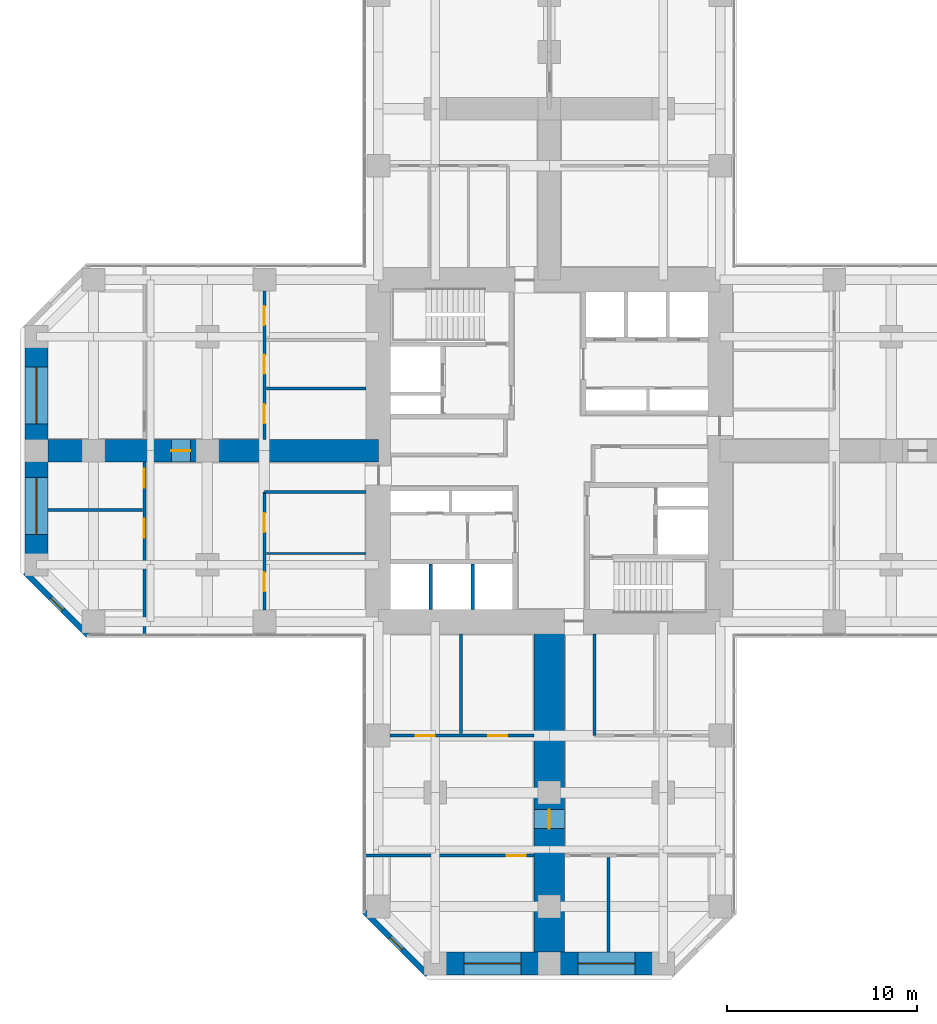
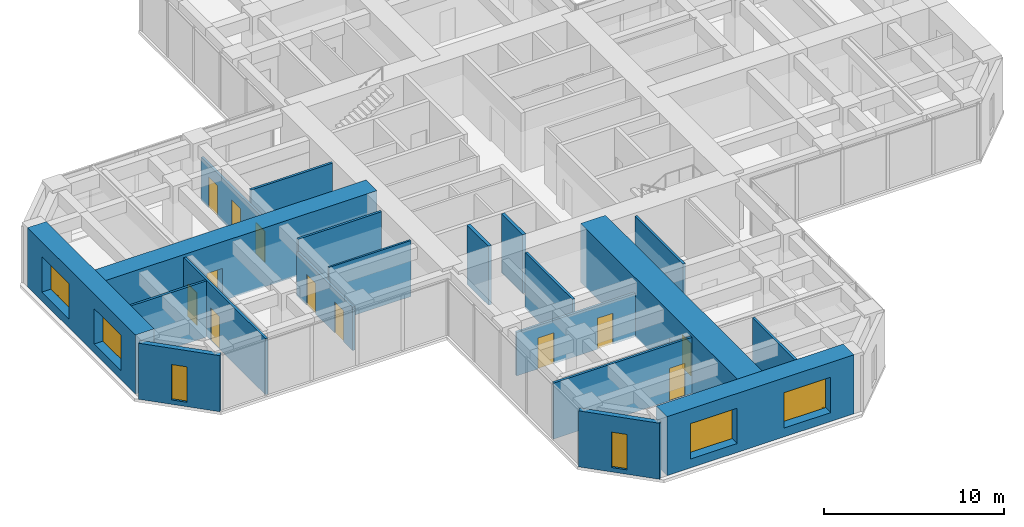
# One storey, part 8 of 13: 20 walls, 12 doors, 6 windows, 18 openings.
"""IFC4 building model written with IfcOpenShell, lengths in metres."""

from ifc_helpers import new_model, si_unit, direction, frame, frame_2d, origin, place, context, subcontext, project, spatial, rectangle, hollow_rectangle, extrude, material, layer, layer_set, constituent, constituent_set, type_object, element, fill, save


model = new_model("IFC4")

# Units and contexts
model_context = context("Model", 3, precision=1e-05, world=origin(), true_north=direction((0.0, 1.0)))
body_context = subcontext(model_context, "Body", "Model", "MODEL_VIEW")
ifc_project = project(units=[si_unit("LENGTHUNIT", "METRE"), si_unit("AREAUNIT", "SQUARE_METRE"), si_unit("VOLUMEUNIT", "CUBIC_METRE"), si_unit("PLANEANGLEUNIT", "RADIAN"), si_unit("MASSUNIT", "GRAM", prefix="KILO")], contexts=[model_context])

# Site, building, storey
site_placement = place(None, origin())
site = spatial("IfcSite", under=ifc_project, at=site_placement, CompositionType="ELEMENT")
building_placement = place(site_placement, origin())
building = spatial("IfcBuilding", under=site, at=building_placement, Name="Torre Cruceta", CompositionType="ELEMENT")
storey_placement = place(building_placement, frame((0.0, 0.0, 51.5)))
storey = spatial("IfcBuildingStorey", under=building, at=storey_placement, Name="L12", CompositionType="ELEMENT", Elevation=51.5)

# Wall, opening, window
ifc_material_1 = material(Name="Concrete G30 (fck 30 MPa)", Category="concrete")
ifc_layer_1 = layer(ifc_material_1, 0.300048828125)
ifc_layer_set_1 = layer_set([ifc_layer_1], Name="Concrete G30 (fck 30 MPa)")
wall_type_1 = type_object("IfcWallType", Name="EXPOSED CONCRETE FACADE WALL 300", PredefinedType="SOLIDWALL", material=ifc_layer_set_1)
wall_1_placement = place(storey_placement, frame((-27.60009765625, -6.418212890625, 0.0), z_axis=(0.0, 0.0, 1.0), x_axis=(0.707106781187, -0.707106781187, 0.0)))
wall_1 = element("IfcWall", 1, at=wall_1_placement, inside=storey, type_object=wall_type_1, Name="EW1 facade wall L12 W chamfer 13", PredefinedType="SOLIDWALL", context=body_context, shape_type="SweptSolid", body=[
    extrude(rectangle(XDim=4.66943359375, YDim=0.300048828125, at=frame_2d((2.334716796875, 0.0))), origin(), (0.0, 0.0, 1.0), 3.800048828125),
])
opening_1_placement = place(wall_1_placement, frame((1.884765625, 0.0, 0.300048828125)))
opening_1 = element("IfcOpeningElement", 2, at=opening_1_placement, cuts=wall_1, Name="Opening WN5", PredefinedType="OPENING", context=body_context, shape_type="SweptSolid", body=[
    extrude(rectangle(XDim=0.89990234375, YDim=2.39990234375, at=frame_2d((0.449951171875, 1.199951171875))), frame((0.0, 0.159912109375, 0.0), z_axis=(0.0, -1.0, 0.0), x_axis=(1.0, 0.0, 0.0)), (0.0, 0.0, 1.0), 0.320068359375),
])
ifc_material_2 = material(Name="Aluminium window frame", Category="aluminium")
ifc_constituent_1 = constituent(ifc_material_2, Name="Frame")
ifc_material_3 = material(Name="Laminated insulating glass unit, low-iron clear", Category="glass")
ifc_constituent_2 = constituent(ifc_material_3, Name="Glazing")
ifc_constituent_set_1 = constituent_set(constituents=[ifc_constituent_1, ifc_constituent_2], Name="Aluminium window")
window_type_1 = type_object("IfcWindowType", Name="CHAMFER SLOT WINDOW 900X2400", PartitioningType="SINGLE_PANEL", PredefinedType="WINDOW", material=ifc_constituent_set_1)
window_1_placement = place(opening_1_placement, origin())
window_1 = element("IfcWindow", 3, at=window_1_placement, inside=storey, type_object=window_type_1, Name="WN5 L12 W 1", OverallHeight=2.39990234375, OverallWidth=0.89990234375, PartitioningType="SINGLE_PANEL", PredefinedType="WINDOW", context=body_context, shape_type="SweptSolid", body=[
    extrude(hollow_rectangle(XDim=0.89990234375, YDim=2.39990234375, WallThickness=0.06005859375, at=frame_2d((0.449951171875, 1.199951171875))), frame((0.0, 0.030029296875, 0.0), z_axis=(0.0, -1.0, 0.0), x_axis=(1.0, 0.0, 0.0)), (0.0, 0.0, 1.0), 0.06005859375),
    extrude(rectangle(XDim=0.77880859375, YDim=2.27880859375, at=frame_2d((0.449951171875, 1.199951171875))), frame((0.0, 0.030029296875, 0.0), z_axis=(0.0, -1.0, 0.0), x_axis=(1.0, 0.0, 0.0)), (0.0, 0.0, 1.0), 0.06005859375),
])
fill(opening_1, window_1)

wall_2_placement = place(storey_placement, frame((-9.719970703125, -24.29833984375, 0.0), z_axis=(0.0, 0.0, 1.0), x_axis=(0.707106781187, -0.707106781187, 0.0)))
wall_2 = element("IfcWall", 4, at=wall_2_placement, inside=storey, type_object=wall_type_1, Name="EW1 facade wall L12 S chamfer 16", PredefinedType="SOLIDWALL", context=body_context, shape_type="SweptSolid", body=[
    extrude(rectangle(XDim=4.66943359375, YDim=0.300048828125, at=frame_2d((2.334716796875, 0.0))), origin(), (0.0, 0.0, 1.0), 3.800048828125),
])
opening_2_placement = place(wall_2_placement, frame((1.884765625, 0.0, 0.300048828125)))
opening_2 = element("IfcOpeningElement", 5, at=opening_2_placement, cuts=wall_2, Name="Opening WN5", PredefinedType="OPENING", context=body_context, shape_type="SweptSolid", body=[
    extrude(rectangle(XDim=0.89990234375, YDim=2.39990234375, at=frame_2d((0.449951171875, 1.199951171875))), frame((0.0, 0.159912109375, 0.0), z_axis=(0.0, -1.0, 0.0), x_axis=(1.0, 0.0, 0.0)), (0.0, 0.0, 1.0), 0.320068359375),
])
window_2_placement = place(opening_2_placement, origin())
window_2 = element("IfcWindow", 6, at=window_2_placement, inside=storey, type_object=window_type_1, Name="WN5 L12 S 1", OverallHeight=2.39990234375, OverallWidth=0.89990234375, PartitioningType="SINGLE_PANEL", PredefinedType="WINDOW", context=body_context, shape_type="SweptSolid", body=[
    extrude(hollow_rectangle(XDim=0.89990234375, YDim=2.39990234375, WallThickness=0.06005859375, at=frame_2d((0.449951171875, 1.199951171875))), frame((0.0, 0.030029296875, 0.0), z_axis=(0.0, -1.0, 0.0), x_axis=(1.0, 0.0, 0.0)), (0.0, 0.0, 1.0), 0.06005859375),
    extrude(rectangle(XDim=0.77880859375, YDim=2.27880859375, at=frame_2d((0.449951171875, 1.199951171875))), frame((0.0, 0.030029296875, 0.0), z_axis=(0.0, -1.0, 0.0), x_axis=(1.0, 0.0, 0.0)), (0.0, 0.0, 1.0), 0.06005859375),
])
fill(opening_2, window_2)

# Walls
ifc_material_4 = material(Name="Concrete G35 (fck 35 MPa)", Category="concrete")
ifc_layer_2 = layer(ifc_material_4, 0.199951171875)
ifc_layer_set_2 = layer_set([ifc_layer_2], Name="Concrete G35 (fck 35 MPa)")
wall_type_2 = type_object("IfcWallType", Name="LIFT SHAFT WALL 200", PredefinedType="PARTITIONING", material=ifc_layer_set_2)
for number, where, z_axis, x_axis, name in (
    (7, (-4.033447265625, -5.97509765625, 0.0), (0.0, 0.0, 1.0), (0.0, -1.0, 0.0), "SW1 L12 SW-LS1"),
    (8, (-6.24169921875, -5.97509765625, 0.0), (0.0, 0.0, 1.0), (0.0, -1.0, 0.0), "SW1 L12 SW-LS2"),
):
    element("IfcWall", number, at=place(storey_placement, frame(where, z_axis=z_axis, x_axis=x_axis)), inside=storey, type_object=wall_type_2, Name=name, PredefinedType="PARTITIONING", context=body_context, shape_type="SweptSolid", body=[
        extrude(rectangle(XDim=2.375, YDim=0.199951171875, at=frame_2d((1.1875, 0.0))), origin(), (0.0, 0.0, 1.0), 4.0),
    ])

# Wall, openings, windows
ifc_material_5 = material(Name="Concrete G60 (fck 60 MPa)", Category="concrete")
ifc_layer_3 = layer(ifc_material_5, 1.199951171875)
ifc_layer_set_3 = layer_set([ifc_layer_3], Name="Concrete G60 (fck 60 MPa)")
wall_type_3 = type_object("IfcWallType", Name="NOSE WALL 1200 G60", PredefinedType="SHEAR", material=ifc_layer_set_3)
wall_3_placement = place(storey_placement, frame((-6.0, -27.0, 0.0), z_axis=(0.0, 0.0, 1.0), x_axis=(1.0, 0.0, 0.0)))
wall_3 = element("IfcWall", 9, at=wall_3_placement, inside=storey, type_object=wall_type_3, Name="NW1 nose wall L12 S", PredefinedType="SHEAR", context=body_context, shape_type="SweptSolid", body=[
    extrude(rectangle(XDim=12.0, YDim=1.199951171875, at=frame_2d((6.0, 0.0))), origin(), (0.0, 0.0, 1.0), 4.0),
])
opening_3_placement = place(wall_3_placement, frame((1.5, 0.0, 0.60009765625)))
opening_3 = element("IfcOpeningElement", 10, at=opening_3_placement, cuts=wall_3, Name="Opening WN6", PredefinedType="OPENING", context=body_context, shape_type="SweptSolid", body=[
    extrude(rectangle(XDim=3.0, YDim=2.39990234375, at=frame_2d((1.5, 1.199951171875))), frame((0.0, 0.60986328125, 0.0), z_axis=(0.0, -1.0, 0.0), x_axis=(1.0, 0.0, 0.0)), (0.0, 0.0, 1.0), 1.219970703125),
])
opening_4_placement = place(wall_3_placement, frame((7.5, 0.0, 0.60009765625)))
opening_4 = element("IfcOpeningElement", 11, at=opening_4_placement, cuts=wall_3, Name="Opening WN6", PredefinedType="OPENING", context=body_context, shape_type="SweptSolid", body=[
    extrude(rectangle(XDim=3.0, YDim=2.39990234375, at=frame_2d((1.5, 1.199951171875))), frame((0.0, 0.60986328125, 0.0), z_axis=(0.0, -1.0, 0.0), x_axis=(1.0, 0.0, 0.0)), (0.0, 0.0, 1.0), 1.219970703125),
])
ifc_material_6 = material(Name="Aluminium window frame", Category="aluminium")
ifc_constituent_3 = constituent(ifc_material_6, Name="Frame")
ifc_material_7 = material(Name="Laminated insulating glass unit, low-iron clear", Category="glass")
ifc_constituent_4 = constituent(ifc_material_7, Name="Glazing")
ifc_constituent_set_2 = constituent_set(constituents=[ifc_constituent_3, ifc_constituent_4], Name="Aluminium window")
window_type_2 = type_object("IfcWindowType", Name="NOSE WALL WINDOW 3000X2400", PartitioningType="SINGLE_PANEL", PredefinedType="WINDOW", material=ifc_constituent_set_2)
window_3_placement = place(opening_3_placement, origin())
window_3 = element("IfcWindow", 12, at=window_3_placement, inside=storey, type_object=window_type_2, Name="WN6 L12 S 1", OverallHeight=2.39990234375, OverallWidth=3.0, PartitioningType="SINGLE_PANEL", PredefinedType="WINDOW", context=body_context, shape_type="SweptSolid", body=[
    extrude(hollow_rectangle(XDim=3.0, YDim=2.39990234375, WallThickness=0.06005859375, at=frame_2d((1.5, 1.199951171875))), frame((0.0, 0.030029296875, 0.0), z_axis=(0.0, -1.0, 0.0), x_axis=(1.0, 0.0, 0.0)), (0.0, 0.0, 1.0), 0.06005859375),
    extrude(rectangle(XDim=2.87890625, YDim=2.27880859375, at=frame_2d((1.5, 1.199951171875))), frame((0.0, 0.030029296875, 0.0), z_axis=(0.0, -1.0, 0.0), x_axis=(1.0, 0.0, 0.0)), (0.0, 0.0, 1.0), 0.06005859375),
])
fill(opening_3, window_3)
window_4_placement = place(opening_4_placement, origin())
window_4 = element("IfcWindow", 13, at=window_4_placement, inside=storey, type_object=window_type_2, Name="WN6 L12 S 2", OverallHeight=2.39990234375, OverallWidth=3.0, PartitioningType="SINGLE_PANEL", PredefinedType="WINDOW", context=body_context, shape_type="SweptSolid", body=[
    extrude(hollow_rectangle(XDim=3.0, YDim=2.39990234375, WallThickness=0.06005859375, at=frame_2d((1.5, 1.199951171875))), frame((0.0, 0.030029296875, 0.0), z_axis=(0.0, -1.0, 0.0), x_axis=(1.0, 0.0, 0.0)), (0.0, 0.0, 1.0), 0.06005859375),
    extrude(rectangle(XDim=2.87890625, YDim=2.27880859375, at=frame_2d((1.5, 1.199951171875))), frame((0.0, 0.030029296875, 0.0), z_axis=(0.0, -1.0, 0.0), x_axis=(1.0, 0.0, 0.0)), (0.0, 0.0, 1.0), 0.06005859375),
])
fill(opening_4, window_4)

wall_4_placement = place(storey_placement, frame((-27.0, 6.0, 0.0), z_axis=(0.0, 0.0, 1.0), x_axis=(0.0, -1.0, 0.0)))
wall_4 = element("IfcWall", 14, at=wall_4_placement, inside=storey, type_object=wall_type_3, Name="NW1 nose wall L12 W", PredefinedType="SHEAR", context=body_context, shape_type="SweptSolid", body=[
    extrude(rectangle(XDim=12.0, YDim=1.199951171875, at=frame_2d((6.0, 0.0))), origin(), (0.0, 0.0, 1.0), 4.0),
])
opening_5_placement = place(wall_4_placement, frame((1.60009765625, 0.0, 0.60009765625)))
opening_5 = element("IfcOpeningElement", 15, at=opening_5_placement, cuts=wall_4, Name="Opening WN6", PredefinedType="OPENING", context=body_context, shape_type="SweptSolid", body=[
    extrude(rectangle(XDim=3.0, YDim=2.39990234375, at=frame_2d((1.5, 1.199951171875))), frame((0.0, 0.60986328125, 0.0), z_axis=(0.0, -1.0, 0.0), x_axis=(1.0, 0.0, 0.0)), (0.0, 0.0, 1.0), 1.219970703125),
])
opening_6_placement = place(wall_4_placement, frame((7.39990234375, 0.0, 0.60009765625)))
opening_6 = element("IfcOpeningElement", 16, at=opening_6_placement, cuts=wall_4, Name="Opening WN6", PredefinedType="OPENING", context=body_context, shape_type="SweptSolid", body=[
    extrude(rectangle(XDim=3.0, YDim=2.39990234375, at=frame_2d((1.5, 1.199951171875))), frame((0.0, 0.60986328125, 0.0), z_axis=(0.0, -1.0, 0.0), x_axis=(1.0, 0.0, 0.0)), (0.0, 0.0, 1.0), 1.219970703125),
])
window_5_placement = place(opening_5_placement, origin())
window_5 = element("IfcWindow", 17, at=window_5_placement, inside=storey, type_object=window_type_2, Name="WN6 L12 W 1", OverallHeight=2.39990234375, OverallWidth=3.0, PartitioningType="SINGLE_PANEL", PredefinedType="WINDOW", context=body_context, shape_type="SweptSolid", body=[
    extrude(hollow_rectangle(XDim=3.0, YDim=2.39990234375, WallThickness=0.06005859375, at=frame_2d((1.5, 1.199951171875))), frame((0.0, 0.030029296875, 0.0), z_axis=(0.0, -1.0, 0.0), x_axis=(1.0, 0.0, 0.0)), (0.0, 0.0, 1.0), 0.06005859375),
    extrude(rectangle(XDim=2.87890625, YDim=2.27880859375, at=frame_2d((1.5, 1.199951171875))), frame((0.0, 0.030029296875, 0.0), z_axis=(0.0, -1.0, 0.0), x_axis=(1.0, 0.0, 0.0)), (0.0, 0.0, 1.0), 0.06005859375),
])
fill(opening_5, window_5)
window_6_placement = place(opening_6_placement, origin())
window_6 = element("IfcWindow", 18, at=window_6_placement, inside=storey, type_object=window_type_2, Name="WN6 L12 W 2", OverallHeight=2.39990234375, OverallWidth=3.0, PartitioningType="SINGLE_PANEL", PredefinedType="WINDOW", context=body_context, shape_type="SweptSolid", body=[
    extrude(hollow_rectangle(XDim=3.0, YDim=2.39990234375, WallThickness=0.06005859375, at=frame_2d((1.5, 1.199951171875))), frame((0.0, 0.030029296875, 0.0), z_axis=(0.0, -1.0, 0.0), x_axis=(1.0, 0.0, 0.0)), (0.0, 0.0, 1.0), 0.06005859375),
    extrude(rectangle(XDim=2.87890625, YDim=2.27880859375, at=frame_2d((1.5, 1.199951171875))), frame((0.0, 0.030029296875, 0.0), z_axis=(0.0, -1.0, 0.0), x_axis=(1.0, 0.0, 0.0)), (0.0, 0.0, 1.0), 0.06005859375),
])
fill(opening_6, window_6)

# Wall
ifc_material_8 = material(Name="Plasterboard on steel studs", Category="steel")
ifc_layer_4 = layer(ifc_material_8, 0.14990234375)
ifc_layer_set_4 = layer_set([ifc_layer_4], Name="Plasterboard on steel studs")
wall_type_4 = type_object("IfcWallType", Name="PARTITION 150", PredefinedType="PARTITIONING", material=ifc_layer_set_4)
wall_5_placement = place(storey_placement, frame((2.375, -9.64990234375, 0.0), z_axis=(0.0, 0.0, 1.0), x_axis=(0.0, -1.0, 0.0)))
element("IfcWall", 19, at=wall_5_placement, inside=storey, type_object=wall_type_4, Name="PT1 L12-S-BSL", PredefinedType="PARTITIONING", context=body_context, shape_type="SweptSolid", body=[
    extrude(rectangle(XDim=5.35009765625, YDim=0.14990234375, at=frame_2d((2.675048828125, 0.0))), origin(), (0.0, 0.0, 1.0), 3.800048828125),
])

# Wall, openings, doors
wall_6_placement = place(storey_placement, frame((-8.39990234375, -15.0, 0.0), z_axis=(0.0, 0.0, 1.0), x_axis=(1.0, 0.0, 0.0)))
wall_6 = element("IfcWall", 20, at=wall_6_placement, inside=storey, type_object=wall_type_4, Name="PT1 L12-S-BFR", PredefinedType="PARTITIONING", context=body_context, shape_type="SweptSolid", body=[
    extrude(rectangle(XDim=7.599853515625, YDim=0.14990234375, at=frame_2d((3.7998046875, 0.0))), origin(), (0.0, 0.0, 1.0), 2.949951171875),
])
opening_7_placement = place(wall_6_placement, frame((1.375, 0.0, 0.0)))
opening_7 = element("IfcOpeningElement", 21, at=opening_7_placement, cuts=wall_6, Name="Opening D3", PredefinedType="OPENING", context=body_context, shape_type="SweptSolid", body=[
    extrude(rectangle(XDim=1.0, YDim=2.10009765625, at=frame_2d((0.5, 1.050048828125))), frame((0.0, 0.0849609375, 0.0), z_axis=(0.0, -1.0, 0.0), x_axis=(1.0, 0.0, 0.0)), (0.0, 0.0, 1.0), 0.169921875),
])
opening_8_placement = place(wall_6_placement, frame((5.175048828125, 0.0, 0.0)))
opening_8 = element("IfcOpeningElement", 22, at=opening_8_placement, cuts=wall_6, Name="Opening D3", PredefinedType="OPENING", context=body_context, shape_type="SweptSolid", body=[
    extrude(rectangle(XDim=1.0, YDim=2.10009765625, at=frame_2d((0.5, 1.050048828125))), frame((0.0, 0.0849609375, 0.0), z_axis=(0.0, -1.0, 0.0), x_axis=(1.0, 0.0, 0.0)), (0.0, 0.0, 1.0), 0.169921875),
])
ifc_material_9 = material(Name="Steel DX51D", Category="steel")
ifc_constituent_5 = constituent(ifc_material_9, Name="Leaf and frame")
ifc_material_10 = material(Name="Polyester powder coating", Category="paint")
ifc_constituent_6 = constituent(ifc_material_10, Name="Finish")
ifc_constituent_set_3 = constituent_set(constituents=[ifc_constituent_5, ifc_constituent_6], Name="Steel fire door")
door_type_1 = type_object("IfcDoorType", Name="FIRE DOOR 1000X2100", OperationType="SINGLE_SWING_LEFT", PredefinedType="DOOR", material=ifc_constituent_set_3)
door_1_placement = place(opening_7_placement, origin())
door_1 = element("IfcDoor", 23, at=door_1_placement, inside=storey, type_object=door_type_1, Name="D3 L12-S-BFR-D1", OperationType="SINGLE_SWING_RIGHT", OverallHeight=2.10009765625, OverallWidth=1.0, PredefinedType="DOOR", context=body_context, shape_type="SweptSolid", body=[
    extrude(rectangle(XDim=1.0, YDim=2.10009765625, at=frame_2d((0.5, 1.050048828125))), frame((0.0, 0.02490234375, 0.0), z_axis=(0.0, -1.0, 0.0), x_axis=(1.0, 0.0, 0.0)), (0.0, 0.0, 1.0), 0.050048828125),
])
fill(opening_7, door_1)
door_2_placement = place(opening_8_placement, origin())
door_2 = element("IfcDoor", 24, at=door_2_placement, inside=storey, type_object=door_type_1, Name="D3 L12-S-BFR-D2", OperationType="SINGLE_SWING_LEFT", OverallHeight=2.10009765625, OverallWidth=1.0, PredefinedType="DOOR", context=body_context, shape_type="SweptSolid", body=[
    extrude(rectangle(XDim=1.0, YDim=2.10009765625, at=frame_2d((0.5, 1.050048828125))), frame((0.0, 0.02490234375, 0.0), z_axis=(0.0, -1.0, 0.0), x_axis=(1.0, 0.0, 0.0)), (0.0, 0.0, 1.0), 0.050048828125),
])
fill(opening_8, door_2)

# Walls
wall_7_placement = place(storey_placement, frame((-4.64990234375, -9.64990234375, 0.0), z_axis=(0.0, 0.0, 1.0), x_axis=(0.0, -1.0, 0.0)))
element("IfcWall", 25, at=wall_7_placement, inside=storey, type_object=wall_type_4, Name="PT1 L12-S-BDR1", PredefinedType="PARTITIONING", context=body_context, shape_type="SweptSolid", body=[
    extrude(rectangle(XDim=5.25, YDim=0.14990234375, at=frame_2d((2.625, 0.0))), origin(), (0.0, 0.0, 1.0), 3.800048828125),
])
wall_8_placement = place(storey_placement, frame((3.117919921875, -21.419921875, 0.0), z_axis=(0.0, 0.0, 1.0), x_axis=(0.0, -1.0, 0.0)))
element("IfcWall", 26, at=wall_8_placement, inside=storey, type_object=wall_type_4, Name="PT1 L12-S-TDL", PredefinedType="PARTITIONING", context=body_context, shape_type="SweptSolid", body=[
    extrude(rectangle(XDim=4.97998046875, YDim=0.14990234375, at=frame_2d((2.489990234375, 0.0))), origin(), (0.0, 0.0, 1.0), 3.800048828125),
])

# Wall, opening, door
wall_9_placement = place(storey_placement, frame((-9.679931640625, -21.320068359375, 0.0), z_axis=(0.0, 0.0, 1.0), x_axis=(1.0, 0.0, 0.0)))
wall_9 = element("IfcWall", 27, at=wall_9_placement, inside=storey, type_object=wall_type_4, Name="PT1 L12-S-TWR", PredefinedType="PARTITIONING", context=body_context, shape_type="SweptSolid", body=[
    extrude(rectangle(XDim=8.8798828125, YDim=0.14990234375, at=frame_2d((4.43994140625, 0.0))), origin(), (0.0, 0.0, 1.0), 3.800048828125),
])
opening_9_placement = place(wall_9_placement, frame((7.429931640625, 0.0, 0.0)))
opening_9 = element("IfcOpeningElement", 28, at=opening_9_placement, cuts=wall_9, Name="Opening D14", PredefinedType="OPENING", context=body_context, shape_type="SweptSolid", body=[
    extrude(rectangle(XDim=1.0, YDim=2.199951171875, at=frame_2d((0.5, 1.10009765625))), frame((0.0, 0.0849609375, 0.0), z_axis=(0.0, -1.0, 0.0), x_axis=(1.0, 0.0, 0.0)), (0.0, 0.0, 1.0), 0.169921875),
])
ifc_material_11 = material(Name="Steel DX51D", Category="steel")
ifc_constituent_7 = constituent(ifc_material_11, Name="Leaf and frame")
ifc_material_12 = material(Name="Polyester powder coating", Category="paint")
ifc_constituent_8 = constituent(ifc_material_12, Name="Finish")
ifc_material_13 = material(Name="Fire-resisting glass", Category="glass")
ifc_constituent_9 = constituent(ifc_material_13, Name="Vision panel")
ifc_constituent_set_4 = constituent_set(constituents=[ifc_constituent_7, ifc_constituent_8, ifc_constituent_9], Name="Steel fire door with vision panel")
door_type_2 = type_object("IfcDoorType", Name="FIRE DOOR VISION PANEL 1000X2200", OperationType="SINGLE_SWING_RIGHT", PredefinedType="DOOR", material=ifc_constituent_set_4)
door_3_placement = place(opening_9_placement, frame((1.0, 0.0, 0.0), z_axis=(0.0, 0.0, 1.0), x_axis=(-1.0, 0.0, 0.0)))
door_3 = element("IfcDoor", 29, at=door_3_placement, inside=storey, type_object=door_type_2, Name="D14 L12-S-TWR-D1", OperationType="SINGLE_SWING_LEFT", OverallHeight=2.199951171875, OverallWidth=1.0, PredefinedType="DOOR", context=body_context, shape_type="SweptSolid", body=[
    extrude(rectangle(XDim=1.0, YDim=2.199951171875, at=frame_2d((0.5, 1.10009765625))), frame((0.0, 0.025146484375, 0.0), z_axis=(0.0, -1.0, 0.0), x_axis=(1.0, 0.0, 0.0)), (0.0, 0.0, 1.0), 0.050048828125),
])
fill(opening_9, door_3)

# Wall, openings, doors
wall_10_placement = place(storey_placement, frame((-15.0, -2.175048828125, 0.0), z_axis=(0.0, 0.0, 1.0), x_axis=(0.0, -1.0, 0.0)))
wall_10 = element("IfcWall", 30, at=wall_10_placement, inside=storey, type_object=wall_type_4, Name="PT1 L12-W-BFL", PredefinedType="PARTITIONING", context=body_context, shape_type="SweptSolid", body=[
    extrude(rectangle(XDim=6.224853515625, YDim=0.14990234375, at=frame_2d((3.1123046875, 0.0))), origin(), (0.0, 0.0, 1.0), 2.949951171875),
])
opening_10_placement = place(wall_10_placement, frame((1.118408203125, 0.0, 0.0)))
opening_10 = element("IfcOpeningElement", 31, at=opening_10_placement, cuts=wall_10, Name="Opening D3", PredefinedType="OPENING", context=body_context, shape_type="SweptSolid", body=[
    extrude(rectangle(XDim=1.0, YDim=2.10009765625, at=frame_2d((0.5, 1.050048828125))), frame((0.0, 0.0849609375, 0.0), z_axis=(0.0, -1.0, 0.0), x_axis=(1.0, 0.0, 0.0)), (0.0, 0.0, 1.0), 0.169921875),
])
opening_11_placement = place(wall_10_placement, frame((4.23095703125, 0.0, 0.0)))
opening_11 = element("IfcOpeningElement", 32, at=opening_11_placement, cuts=wall_10, Name="Opening D3", PredefinedType="OPENING", context=body_context, shape_type="SweptSolid", body=[
    extrude(rectangle(XDim=1.0, YDim=2.10009765625, at=frame_2d((0.5, 1.050048828125))), frame((0.0, 0.0849609375, 0.0), z_axis=(0.0, -1.0, 0.0), x_axis=(1.0, 0.0, 0.0)), (0.0, 0.0, 1.0), 0.169921875),
])
door_4_placement = place(opening_10_placement, origin())
door_4 = element("IfcDoor", 33, at=door_4_placement, inside=storey, type_object=door_type_1, Name="D3 L12-W-BFL-D1", OperationType="SINGLE_SWING_LEFT", OverallHeight=2.10009765625, OverallWidth=1.0, PredefinedType="DOOR", context=body_context, shape_type="SweptSolid", body=[
    extrude(rectangle(XDim=1.0, YDim=2.10009765625, at=frame_2d((0.5, 1.050048828125))), frame((0.0, 0.02490234375, 0.0), z_axis=(0.0, -1.0, 0.0), x_axis=(1.0, 0.0, 0.0)), (0.0, 0.0, 1.0), 0.050048828125),
])
fill(opening_10, door_4)
door_5_placement = place(opening_11_placement, origin())
door_5 = element("IfcDoor", 34, at=door_5_placement, inside=storey, type_object=door_type_1, Name="D3 L12-W-BFL-D2", OperationType="SINGLE_SWING_LEFT", OverallHeight=2.10009765625, OverallWidth=1.0, PredefinedType="DOOR", context=body_context, shape_type="SweptSolid", body=[
    extrude(rectangle(XDim=1.0, YDim=2.10009765625, at=frame_2d((0.5, 1.050048828125))), frame((0.0, 0.02490234375, 0.0), z_axis=(0.0, -1.0, 0.0), x_axis=(1.0, 0.0, 0.0)), (0.0, 0.0, 1.0), 0.050048828125),
])
fill(opening_11, door_5)

# Wall
wall_11_placement = place(storey_placement, frame((-9.64990234375, -2.175048828125, 0.0), z_axis=(0.0, 0.0, 1.0), x_axis=(-1.0, 0.0, 0.0)))
element("IfcWall", 35, at=wall_11_placement, inside=storey, type_object=wall_type_4, Name="PT1 L12-W-BSL", PredefinedType="PARTITIONING", context=body_context, shape_type="SweptSolid", body=[
    extrude(rectangle(XDim=5.35009765625, YDim=0.14990234375, at=frame_2d((2.675048828125, 0.0))), origin(), (0.0, 0.0, 1.0), 3.800048828125),
])

# Wall, openings, doors
wall_12_placement = place(storey_placement, frame((-15.0, 8.39990234375, 0.0), z_axis=(0.0, 0.0, 1.0), x_axis=(0.0, -1.0, 0.0)))
wall_12 = element("IfcWall", 36, at=wall_12_placement, inside=storey, type_object=wall_type_4, Name="PT1 L12-W-BFR", PredefinedType="PARTITIONING", context=body_context, shape_type="SweptSolid", body=[
    extrude(rectangle(XDim=7.7998046875, YDim=0.14990234375, at=frame_2d((3.89990234375, 0.0))), origin(), (0.0, 0.0, 1.0), 2.949951171875),
])
opening_12_placement = place(wall_12_placement, frame((0.783203125, 0.0, 0.0)))
opening_12 = element("IfcOpeningElement", 37, at=opening_12_placement, cuts=wall_12, Name="Opening D3", PredefinedType="OPENING", context=body_context, shape_type="SweptSolid", body=[
    extrude(rectangle(XDim=1.0, YDim=2.10009765625, at=frame_2d((0.5, 1.050048828125))), frame((0.0, 0.0849609375, 0.0), z_axis=(0.0, -1.0, 0.0), x_axis=(1.0, 0.0, 0.0)), (0.0, 0.0, 1.0), 0.169921875),
])
opening_13_placement = place(wall_12_placement, frame((3.35009765625, 0.0, 0.0)))
opening_13 = element("IfcOpeningElement", 38, at=opening_13_placement, cuts=wall_12, Name="Opening D3", PredefinedType="OPENING", context=body_context, shape_type="SweptSolid", body=[
    extrude(rectangle(XDim=1.0, YDim=2.10009765625, at=frame_2d((0.5, 1.050048828125))), frame((0.0, 0.0849609375, 0.0), z_axis=(0.0, -1.0, 0.0), x_axis=(1.0, 0.0, 0.0)), (0.0, 0.0, 1.0), 0.169921875),
])
opening_14_placement = place(wall_12_placement, frame((5.966796875, 0.0, 0.0)))
opening_14 = element("IfcOpeningElement", 39, at=opening_14_placement, cuts=wall_12, Name="Opening D3", PredefinedType="OPENING", context=body_context, shape_type="SweptSolid", body=[
    extrude(rectangle(XDim=1.0, YDim=2.10009765625, at=frame_2d((0.5, 1.050048828125))), frame((0.0, 0.0849609375, 0.0), z_axis=(0.0, -1.0, 0.0), x_axis=(1.0, 0.0, 0.0)), (0.0, 0.0, 1.0), 0.169921875),
])
door_6_placement = place(opening_12_placement, origin())
door_6 = element("IfcDoor", 40, at=door_6_placement, inside=storey, type_object=door_type_1, Name="D3 L12-W-BFR-D1", OperationType="SINGLE_SWING_RIGHT", OverallHeight=2.10009765625, OverallWidth=1.0, PredefinedType="DOOR", context=body_context, shape_type="SweptSolid", body=[
    extrude(rectangle(XDim=1.0, YDim=2.10009765625, at=frame_2d((0.5, 1.050048828125))), frame((0.0, 0.02490234375, 0.0), z_axis=(0.0, -1.0, 0.0), x_axis=(1.0, 0.0, 0.0)), (0.0, 0.0, 1.0), 0.050048828125),
])
fill(opening_12, door_6)
door_7_placement = place(opening_13_placement, origin())
door_7 = element("IfcDoor", 41, at=door_7_placement, inside=storey, type_object=door_type_1, Name="D3 L12-W-BFR-D2", OperationType="SINGLE_SWING_LEFT", OverallHeight=2.10009765625, OverallWidth=1.0, PredefinedType="DOOR", context=body_context, shape_type="SweptSolid", body=[
    extrude(rectangle(XDim=1.0, YDim=2.10009765625, at=frame_2d((0.5, 1.050048828125))), frame((0.0, 0.02490234375, 0.0), z_axis=(0.0, -1.0, 0.0), x_axis=(1.0, 0.0, 0.0)), (0.0, 0.0, 1.0), 0.050048828125),
])
fill(opening_13, door_7)
door_8_placement = place(opening_14_placement, origin())
door_8 = element("IfcDoor", 42, at=door_8_placement, inside=storey, type_object=door_type_1, Name="D3 L12-W-BFR-D3", OperationType="SINGLE_SWING_LEFT", OverallHeight=2.10009765625, OverallWidth=1.0, PredefinedType="DOOR", context=body_context, shape_type="SweptSolid", body=[
    extrude(rectangle(XDim=1.0, YDim=2.10009765625, at=frame_2d((0.5, 1.050048828125))), frame((0.0, 0.02490234375, 0.0), z_axis=(0.0, -1.0, 0.0), x_axis=(1.0, 0.0, 0.0)), (0.0, 0.0, 1.0), 0.050048828125),
])
fill(opening_14, door_8)

# Walls
wall_13_placement = place(storey_placement, frame((-9.64990234375, 3.2666015625, 0.0), z_axis=(0.0, 0.0, 1.0), x_axis=(-1.0, 0.0, 0.0)))
element("IfcWall", 43, at=wall_13_placement, inside=storey, type_object=wall_type_4, Name="PT1 L12-W-BDR1", PredefinedType="PARTITIONING", context=body_context, shape_type="SweptSolid", body=[
    extrude(rectangle(XDim=5.25, YDim=0.14990234375, at=frame_2d((2.625, 0.0))), origin(), (0.0, 0.0, 1.0), 3.800048828125),
])
wall_14_placement = place(storey_placement, frame((-21.419921875, -3.117919921875, 0.0), z_axis=(0.0, 0.0, 1.0), x_axis=(-1.0, 0.0, 0.0)))
element("IfcWall", 44, at=wall_14_placement, inside=storey, type_object=wall_type_4, Name="PT1 L12-W-TDL", PredefinedType="PARTITIONING", context=body_context, shape_type="SweptSolid", body=[
    extrude(rectangle(XDim=4.97998046875, YDim=0.14990234375, at=frame_2d((2.489990234375, 0.0))), origin(), (0.0, 0.0, 1.0), 3.800048828125),
])

# Wall, openings, doors
wall_15_placement = place(storey_placement, frame((-21.320068359375, -0.60009765625, 0.0), z_axis=(0.0, 0.0, 1.0), x_axis=(0.0, -1.0, 0.0)))
wall_15 = element("IfcWall", 45, at=wall_15_placement, inside=storey, type_object=wall_type_4, Name="PT1 L12-W-TWL", PredefinedType="PARTITIONING", context=body_context, shape_type="SweptSolid", body=[
    extrude(rectangle(XDim=9.079833984375, YDim=0.14990234375, at=frame_2d((4.5400390625, 0.0))), origin(), (0.0, 0.0, 1.0), 3.800048828125),
])
opening_15_placement = place(wall_15_placement, frame((0.35009765625, 0.0, 0.0)))
opening_15 = element("IfcOpeningElement", 46, at=opening_15_placement, cuts=wall_15, Name="Opening D14", PredefinedType="OPENING", context=body_context, shape_type="SweptSolid", body=[
    extrude(rectangle(XDim=1.0, YDim=2.199951171875, at=frame_2d((0.5, 1.10009765625))), frame((0.0, 0.0849609375, 0.0), z_axis=(0.0, -1.0, 0.0), x_axis=(1.0, 0.0, 0.0)), (0.0, 0.0, 1.0), 0.169921875),
])
opening_16_placement = place(wall_15_placement, frame((2.992919921875, 0.0, 0.0)))
opening_16 = element("IfcOpeningElement", 47, at=opening_16_placement, cuts=wall_15, Name="Opening D14", PredefinedType="OPENING", context=body_context, shape_type="SweptSolid", body=[
    extrude(rectangle(XDim=1.0, YDim=2.199951171875, at=frame_2d((0.5, 1.10009765625))), frame((0.0, 0.0849609375, 0.0), z_axis=(0.0, -1.0, 0.0), x_axis=(1.0, 0.0, 0.0)), (0.0, 0.0, 1.0), 0.169921875),
])
door_9_placement = place(opening_15_placement, frame((1.0, 0.0, 0.0), z_axis=(0.0, 0.0, 1.0), x_axis=(-1.0, 0.0, 0.0)))
door_9 = element("IfcDoor", 48, at=door_9_placement, inside=storey, type_object=door_type_2, Name="D14 L12-W-TWL-D1", OperationType="SINGLE_SWING_RIGHT", OverallHeight=2.199951171875, OverallWidth=1.0, PredefinedType="DOOR", context=body_context, shape_type="SweptSolid", body=[
    extrude(rectangle(XDim=1.0, YDim=2.199951171875, at=frame_2d((0.5, 1.10009765625))), frame((0.0, 0.025146484375, 0.0), z_axis=(0.0, -1.0, 0.0), x_axis=(1.0, 0.0, 0.0)), (0.0, 0.0, 1.0), 0.050048828125),
])
fill(opening_15, door_9)
door_10_placement = place(opening_16_placement, frame((1.0, 0.0, 0.0), z_axis=(0.0, 0.0, 1.0), x_axis=(-1.0, 0.0, 0.0)))
door_10 = element("IfcDoor", 49, at=door_10_placement, inside=storey, type_object=door_type_2, Name="D14 L12-W-TWL-D2", OperationType="SINGLE_SWING_RIGHT", OverallHeight=2.199951171875, OverallWidth=1.0, PredefinedType="DOOR", context=body_context, shape_type="SweptSolid", body=[
    extrude(rectangle(XDim=1.0, YDim=2.199951171875, at=frame_2d((0.5, 1.10009765625))), frame((0.0, 0.025146484375, 0.0), z_axis=(0.0, -1.0, 0.0), x_axis=(1.0, 0.0, 0.0)), (0.0, 0.0, 1.0), 0.050048828125),
])
fill(opening_16, door_10)

# Wall, opening, door
ifc_material_14 = material(Name="Concrete G60 (fck 60 MPa)", Category="concrete")
ifc_layer_5 = layer(ifc_material_14, 1.199951171875)
ifc_layer_set_5 = layer_set([ifc_layer_5], Name="Concrete G60 (fck 60 MPa)")
wall_type_5 = type_object("IfcWallType", Name="SPINE WALL 1200 G60", PredefinedType="SHEAR", material=ifc_layer_set_5)
wall_16_placement = place(storey_placement, frame((-9.0, 0.0, 0.0), z_axis=(0.0, 0.0, 1.0), x_axis=(-1.0, 0.0, 0.0)))
wall_16 = element("IfcWall", 50, at=wall_16_placement, inside=storey, type_object=wall_type_5, Name="SW3 spine wall L12 W", PredefinedType="SHEAR", context=body_context, shape_type="SweptSolid", body=[
    extrude(rectangle(XDim=18.0, YDim=1.199951171875, at=frame_2d((9.0, 0.0))), origin(), (0.0, 0.0, 1.0), 4.0),
])
opening_17_placement = place(wall_16_placement, frame((9.89990234375, 0.0, 0.0)))
opening_17 = element("IfcOpeningElement", 51, at=opening_17_placement, cuts=wall_16, Name="Opening D14", PredefinedType="OPENING", context=body_context, shape_type="SweptSolid", body=[
    extrude(rectangle(XDim=1.0, YDim=2.199951171875, at=frame_2d((0.5, 1.10009765625))), frame((0.0, 0.60986328125, 0.0), z_axis=(0.0, -1.0, 0.0), x_axis=(1.0, 0.0, 0.0)), (0.0, 0.0, 1.0), 1.219970703125),
])
door_11_placement = place(opening_17_placement, frame((1.0, 0.0, 0.0), z_axis=(0.0, 0.0, 1.0), x_axis=(-1.0, 0.0, 0.0)))
door_11 = element("IfcDoor", 52, at=door_11_placement, inside=storey, type_object=door_type_2, Name="D14 L12-W-SP1", OperationType="SINGLE_SWING_LEFT", OverallHeight=2.199951171875, OverallWidth=1.0, PredefinedType="DOOR", context=body_context, shape_type="SweptSolid", body=[
    extrude(rectangle(XDim=1.0, YDim=2.199951171875, at=frame_2d((0.5, 1.10009765625))), frame((0.0, 0.025146484375, 0.0), z_axis=(0.0, -1.0, 0.0), x_axis=(1.0, 0.0, 0.0)), (0.0, 0.0, 1.0), 0.050048828125),
])
fill(opening_17, door_11)

ifc_material_15 = material(Name="Concrete G60 (fck 60 MPa)", Category="concrete")
ifc_layer_6 = layer(ifc_material_15, 1.60009765625)
ifc_layer_set_6 = layer_set([ifc_layer_6], Name="Concrete G60 (fck 60 MPa)")
wall_type_6 = type_object("IfcWallType", Name="SPINE WALL 1600 G60", PredefinedType="SHEAR", material=ifc_layer_set_6)
wall_17_placement = place(storey_placement, frame((0.0, -9.0, 0.0), z_axis=(0.0, 0.0, 1.0), x_axis=(0.0, -1.0, 0.0)))
wall_17 = element("IfcWall", 53, at=wall_17_placement, inside=storey, type_object=wall_type_6, Name="SW2 spine wall L12 S", PredefinedType="SHEAR", context=body_context, shape_type="SweptSolid", body=[
    extrude(rectangle(XDim=18.0, YDim=1.60009765625, at=frame_2d((9.0, 0.0))), origin(), (0.0, 0.0, 1.0), 4.0),
])
opening_18_placement = place(wall_17_placement, frame((9.89990234375, 0.0, 0.0)))
opening_18 = element("IfcOpeningElement", 54, at=opening_18_placement, cuts=wall_17, Name="Opening D14", PredefinedType="OPENING", context=body_context, shape_type="SweptSolid", body=[
    extrude(rectangle(XDim=1.0, YDim=2.199951171875, at=frame_2d((0.5, 1.10009765625))), frame((0.0, 0.81005859375, 0.0), z_axis=(0.0, -1.0, 0.0), x_axis=(1.0, 0.0, 0.0)), (0.0, 0.0, 1.0), 1.6201171875),
])
door_12_placement = place(opening_18_placement, frame((1.0, 0.0, 0.0), z_axis=(0.0, 0.0, 1.0), x_axis=(-1.0, 0.0, 0.0)))
door_12 = element("IfcDoor", 55, at=door_12_placement, inside=storey, type_object=door_type_2, Name="D14 L12-S-SP1", OperationType="SINGLE_SWING_LEFT", OverallHeight=2.199951171875, OverallWidth=1.0, PredefinedType="DOOR", context=body_context, shape_type="SweptSolid", body=[
    extrude(rectangle(XDim=1.0, YDim=2.199951171875, at=frame_2d((0.5, 1.10009765625))), frame((0.0, 0.025146484375, 0.0), z_axis=(0.0, -1.0, 0.0), x_axis=(1.0, 0.0, 0.0)), (0.0, 0.0, 1.0), 0.050048828125),
])
fill(opening_18, door_12)

# Wall
ifc_material_16 = material(Name="Plasterboard on steel studs", Category="steel")
ifc_layer_7 = layer(ifc_material_16, 0.1201171875)
ifc_layer_set_7 = layer_set([ifc_layer_7], Name="Plasterboard on steel studs")
wall_type_7 = type_object("IfcWallType", Name="WC PARTITION 120", PredefinedType="PLUMBINGWALL", material=ifc_layer_set_7)
wall_18_placement = place(storey_placement, frame((-9.64990234375, -5.412109375, 0.0), z_axis=(0.0, 0.0, 1.0), x_axis=(-1.0, 0.0, 0.0)))
element("IfcWall", 56, at=wall_18_placement, inside=storey, type_object=wall_type_7, Name="PT5 L12-W-BDL1", PredefinedType="PLUMBINGWALL", context=body_context, shape_type="SweptSolid", body=[
    extrude(rectangle(XDim=5.25, YDim=0.1201171875, at=frame_2d((2.625, 0.0))), origin(), (0.0, 0.0, 1.0), 3.800048828125),
])

save(model, "model.ifc")
